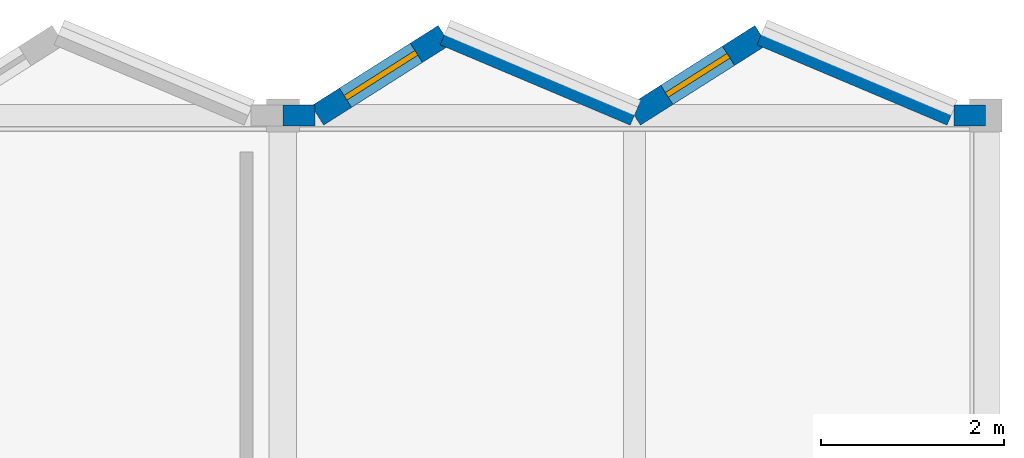
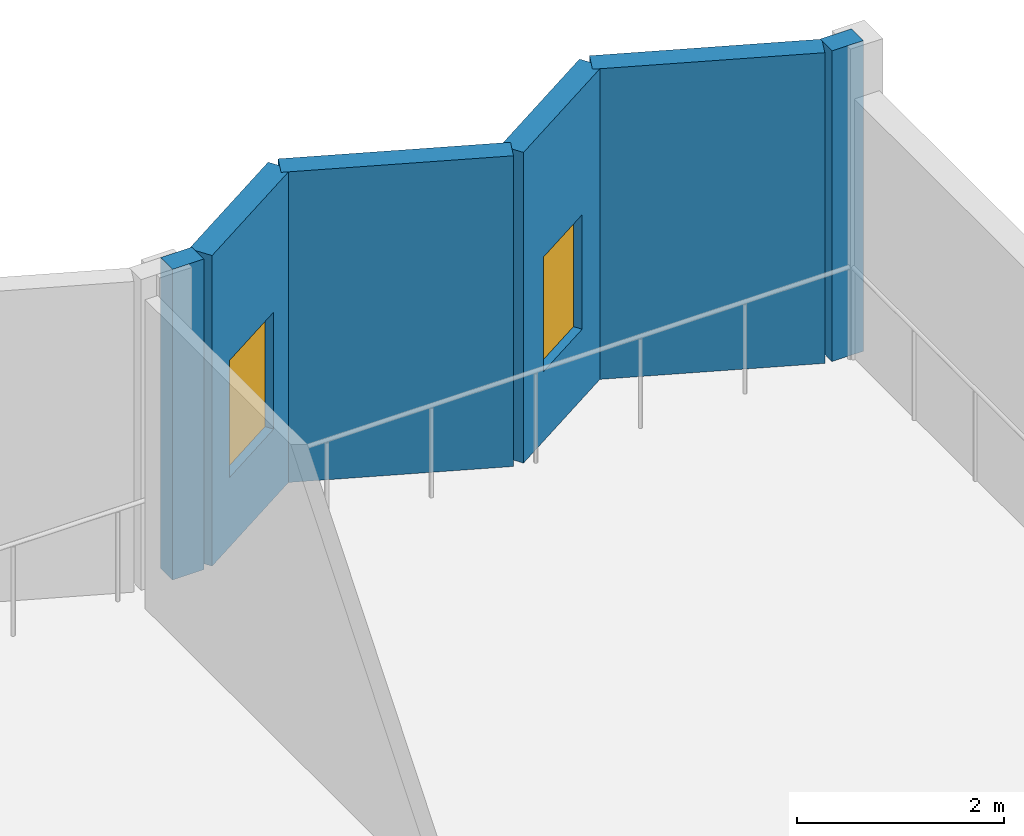
# One storey, part 7 of 8: 6 walls, 2 windows, 2 openings.
"""IFC4 building model written with IfcOpenShell, lengths in metres."""

from ifc_helpers import new_model, si_unit, direction, frame, frame_2d, origin, place, context, subcontext, project, spatial, rectangle, extrude, material, layer, layer_set, type_object, element, fill, save


model = new_model("IFC4")

# Units and contexts
model_context = context("Model", 3, precision=1e-05, world=origin(), true_north=direction((0.0, 1.0)))
body_context = subcontext(model_context, "Body", "Model", "MODEL_VIEW")
ifc_project = project(units=[si_unit("LENGTHUNIT", "METRE"), si_unit("AREAUNIT", "SQUARE_METRE"), si_unit("VOLUMEUNIT", "CUBIC_METRE"), si_unit("PLANEANGLEUNIT", "RADIAN"), si_unit("MASSUNIT", "GRAM", prefix="KILO")], contexts=[model_context])

# Site, building, storey
site_placement = place(None, origin())
site = spatial("IfcSite", under=ifc_project, at=site_placement, CompositionType="ELEMENT")
building_placement = place(site_placement, origin())
building = spatial("IfcBuilding", under=site, at=building_placement, Name="Vharandega Faculty of Natural Sciences", CompositionType="ELEMENT")
storey_placement = place(building_placement, frame((0.0, 0.0, 43.199951171875)))
storey = spatial("IfcBuildingStorey", under=building, at=storey_placement, Name="L11", CompositionType="ELEMENT", Elevation=43.199951171875)

# Wall, opening, window
ifc_material_1 = material(Name="Precast concrete C40/50", Category="concrete")
ifc_layer_1 = layer(ifc_material_1, 0.25, Name="Precast concrete C40/50")
ifc_layer_set_1 = layer_set([ifc_layer_1], Name="Precast concrete C40/50")
wall_type_1 = type_object("IfcWallType", Name="Sawtooth Glazed-Face Precast Wall 250", PredefinedType="SOLIDWALL", material=ifc_layer_set_1)
wall_1_placement = place(storey_placement, frame((154.080078125, 97.0, 0.0), z_axis=(0.0, 0.0, 1.0), x_axis=(0.844583954912, 0.535423143976, 0.0)))
wall_1 = element("IfcWall", 1, at=wall_1_placement, inside=storey, type_object=wall_type_1, Name="Exterior Wall EW-SAW-L11-N09G", PredefinedType="SOLIDWALL", context=body_context, shape_type="SweptSolid", body=[
    extrude(rectangle(XDim=1.643310546875, YDim=0.25, at=frame_2d((0.82177734375, 0.0))), origin(), (0.0, 0.0, 1.0), 3.66015625),
])
opening_1_placement = place(wall_1_placement, frame((0.36181640625, 0.0, 0.820068359375)))
opening_1 = element("IfcOpeningElement", 2, at=opening_1_placement, cuts=wall_1, Name="Opening WN-06B", PredefinedType="OPENING", context=body_context, shape_type="SweptSolid", body=[
    extrude(rectangle(XDim=0.919921875, YDim=1.3798828125, at=frame_2d((0.4599609375, 0.68994140625))), frame((0.0, 0.135009765625, 0.0), z_axis=(0.0, -1.0, 0.0), x_axis=(1.0, 0.0, 0.0)), (0.0, 0.0, 1.0), 0.27001953125),
])
ifc_material_2 = material(Name="Double-glazed solar-control glass in thermally broken aluminium frame", Category="aluminium")
window_type_1 = type_object("IfcWindowType", Name="WIN-SAW-092x138", PartitioningType="SINGLE_PANEL", PredefinedType="WINDOW", material=ifc_material_2)
window_1_placement = place(opening_1_placement, origin())
window_1 = element("IfcWindow", 3, at=window_1_placement, inside=storey, type_object=window_type_1, Name="Window WIN-L11-0137", OverallHeight=1.3798828125, OverallWidth=0.919921875, PartitioningType="SINGLE_PANEL", PredefinedType="WINDOW", context=body_context, shape_type="SweptSolid", body=[
    extrude(rectangle(XDim=0.919921875, YDim=1.3798828125, at=frame_2d((0.4599609375, 0.68994140625))), frame((0.0, 0.030029296875, 0.0), z_axis=(0.0, -1.0, 0.0), x_axis=(1.0, 0.0, 0.0)), (0.0, 0.0, 1.0), 0.06005859375),
])
fill(opening_1, window_1)

wall_2_placement = place(storey_placement, frame((157.550048828125, 97.0, 0.0), z_axis=(0.0, 0.0, 1.0), x_axis=(0.844583954912, 0.535423143976, 0.0)))
wall_2 = element("IfcWall", 4, at=wall_2_placement, inside=storey, type_object=wall_type_1, Name="Exterior Wall EW-SAW-L11-N10G", PredefinedType="SOLIDWALL", context=body_context, shape_type="SweptSolid", body=[
    extrude(rectangle(XDim=1.643310546875, YDim=0.25, at=frame_2d((0.82177734375, 0.0))), origin(), (0.0, 0.0, 1.0), 3.66015625),
])
opening_2_placement = place(wall_2_placement, frame((0.421630859375, 0.0, 0.820068359375)))
opening_2 = element("IfcOpeningElement", 5, at=opening_2_placement, cuts=wall_2, Name="Opening WN-01", PredefinedType="OPENING", context=body_context, shape_type="SweptSolid", body=[
    extrude(rectangle(XDim=0.800048828125, YDim=1.35009765625, at=frame_2d((0.39990234375, 0.675048828125))), frame((0.0, 0.135009765625, 0.0), z_axis=(0.0, -1.0, 0.0), x_axis=(1.0, 0.0, 0.0)), (0.0, 0.0, 1.0), 0.27001953125),
])
ifc_material_3 = material(Name="Double-glazed solar-control glass in thermally broken aluminium frame", Category="aluminium")
window_type_2 = type_object("IfcWindowType", Name="WIN-SAW-080x135", PartitioningType="SINGLE_PANEL", PredefinedType="WINDOW", material=ifc_material_3)
window_2_placement = place(opening_2_placement, origin())
window_2 = element("IfcWindow", 6, at=window_2_placement, inside=storey, type_object=window_type_2, Name="Window WIN-L11-0138", OverallHeight=1.35009765625, OverallWidth=0.800048828125, PartitioningType="SINGLE_PANEL", PredefinedType="WINDOW", context=body_context, shape_type="SweptSolid", body=[
    extrude(rectangle(XDim=0.800048828125, YDim=1.35009765625, at=frame_2d((0.39990234375, 0.675048828125))), frame((0.0, 0.030029296875, 0.0), z_axis=(0.0, -1.0, 0.0), x_axis=(1.0, 0.0, 0.0)), (0.0, 0.0, 1.0), 0.06005859375),
])
fill(opening_2, window_2)

# Walls
ifc_material_4 = material(Name="Precast concrete C40/50", Category="concrete")
ifc_layer_2 = layer(ifc_material_4, 0.22998046875, Name="Precast concrete C40/50")
ifc_layer_set_2 = layer_set([ifc_layer_2], Name="Precast concrete C40/50")
wall_type_2 = type_object("IfcWallType", Name="Sawtooth Solid White Precast Wall 230", PredefinedType="SOLIDWALL", material=ifc_layer_set_2)
wall_3_placement = place(storey_placement, frame((153.699951171875, 97.0, 0.0), z_axis=(0.0, 0.0, 1.0), x_axis=(1.0, 0.0, 0.0)))
element("IfcWall", 7, at=wall_3_placement, inside=storey, type_object=wall_type_2, Name="Exterior Wall EW-SHL-L11-N20L", PredefinedType="SOLIDWALL", context=body_context, shape_type="SweptSolid", body=[
    extrude(rectangle(XDim=0.35009765625, YDim=0.22998046875, at=frame_2d((0.175048828125, 0.0))), origin(), (0.0, 0.0, 1.0), 3.66015625),
])
wall_4_placement = place(storey_placement, frame((161.050048828125, 97.0, 0.0), z_axis=(0.0, 0.0, 1.0), x_axis=(1.0, 0.0, 0.0)))
element("IfcWall", 8, at=wall_4_placement, inside=storey, type_object=wall_type_2, Name="Exterior Wall EW-SHL-L11-N21R", PredefinedType="SOLIDWALL", context=body_context, shape_type="SweptSolid", body=[
    extrude(rectangle(XDim=0.349853515625, YDim=0.22998046875, at=frame_2d((0.1748046875, 0.0))), origin(), (0.0, 0.0, 1.0), 3.66015625),
])
for number, where, z_axis, x_axis, name in (
    (9, (155.468017578125, 97.8798828125, 0.0), (0.0, 0.0, 1.0), (0.921122216024, -0.389273506866, 0.0), "Exterior Wall EW-SAW-L11-N09S"),
    (10, (158.93798828125, 97.8798828125, 0.0), (0.0, 0.0, 1.0), (0.921122216024, -0.389273506866, 0.0), "Exterior Wall EW-SAW-L11-N10S"),
):
    element("IfcWall", number, at=place(storey_placement, frame(where, z_axis=z_axis, x_axis=x_axis)), inside=storey, type_object=wall_type_2, Name=name, PredefinedType="SOLIDWALL", context=body_context, shape_type="SweptSolid", body=[
        extrude(rectangle(XDim=2.26025390625, YDim=0.22998046875, at=frame_2d((1.130126953125, 0.0))), origin(), (0.0, 0.0, 1.0), 3.66015625),
    ])

save(model, "model.ifc")
